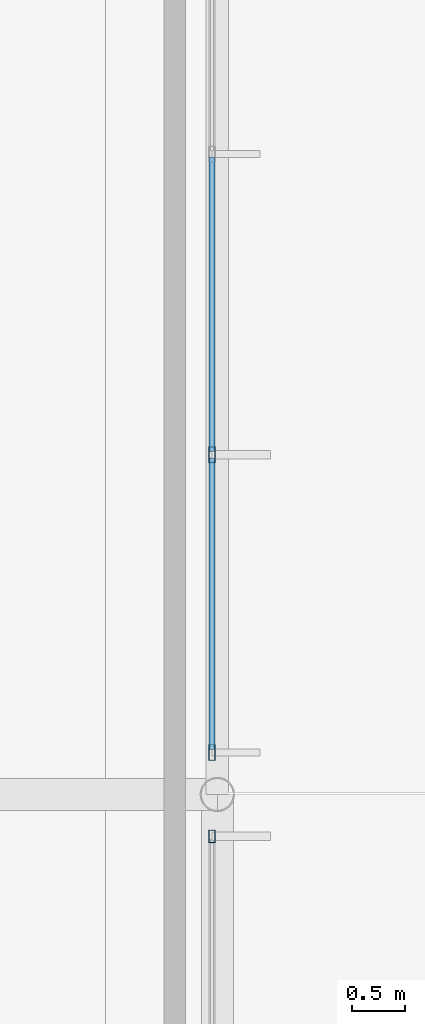
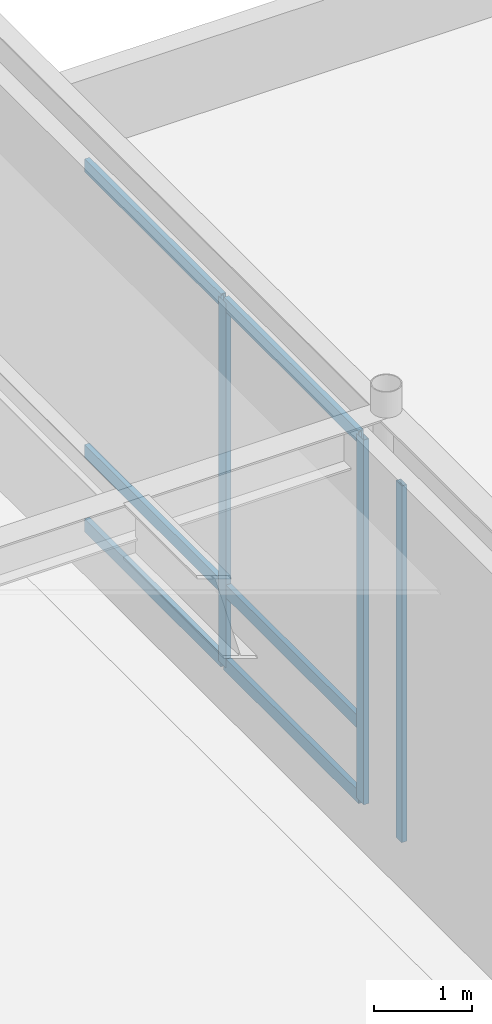
# One storey, part 88 of 143: 9 members, 2 elements without a shape of their own.
"""IFC4 building model written with IfcOpenShell, lengths in metres."""

from ifc_helpers import new_model, si_unit, direction, frame, origin, origin_2d, place, context, subcontext, project, spatial, hollow_rectangle, extrude, material, layer, layer_set, material_profile, profile_set, type_object, element, aggregate, save


model = new_model("IFC4")

# Units and contexts
model_context = context("Model", 3, precision=1e-05, world=origin(), true_north=direction((0.0, 1.0)))
body_context = subcontext(model_context, "Body", "Model", "MODEL_VIEW")
ifc_project = project(units=[si_unit("LENGTHUNIT", "METRE"), si_unit("AREAUNIT", "SQUARE_METRE"), si_unit("VOLUMEUNIT", "CUBIC_METRE"), si_unit("PLANEANGLEUNIT", "RADIAN"), si_unit("MASSUNIT", "GRAM", prefix="KILO")], contexts=[model_context])

# Site, building, storey
site_placement = place(None, origin())
site = spatial("IfcSite", under=ifc_project, at=site_placement, CompositionType="ELEMENT")
building_placement = place(site_placement, origin())
building = spatial("IfcBuilding", under=site, at=building_placement, Name="Montelvaro Courts of Justice", CompositionType="ELEMENT")
storey_placement = place(building_placement, origin())
storey = spatial("IfcBuildingStorey", under=building, at=storey_placement, Name="L00", CompositionType="ELEMENT", Elevation=0.0)

# Curtain wall, member
ifc_material = material(Name="Anodised aluminium EN AW-6063", Category="aluminium")
ifc_layer_1 = layer(ifc_material, 0.159912109375)
ifc_layer_set_1 = layer_set([ifc_layer_1], Name="Anodised aluminium EN AW-6063")
curtain_wall_type_1 = type_object("IfcCurtainWallType", Name="CurtainWall_02_1727x508", PredefinedType="USERDEFINED", material=ifc_layer_set_1)
curtain_wall_1_placement = place(storey_placement, origin())
curtain_wall_1 = element("IfcCurtainWall", 1, at=curtain_wall_1_placement, inside=storey, type_object=curtain_wall_type_1, Name="Curtain Wall CW-02 (L00)", ObjectType="CURTAIN WALL", PredefinedType="USERDEFINED")
ifc_material_profile_1 = material_profile(ifc_material, hollow_rectangle(XDim=0.06005859375, YDim=0.1201171875, WallThickness=0.00341796875, at=origin_2d()), Name="ALU-M 60x120")
ifc_profile_set_1 = profile_set([ifc_material_profile_1], Name="Anodised aluminium EN AW-6063")
member_type_1 = type_object("IfcMemberType", Name="CurtainWall_Mullion_60x120", PredefinedType="MULLION", material=ifc_profile_set_1)
member_1_placement = place(storey_placement, frame((80.949951171875, 95.60498046875, 0.0), z_axis=(0.0, 0.0, 1.0), x_axis=(-1.0, 0.0, 0.0)))
member_1 = element("IfcMember", 2, at=member_1_placement, type_object=member_type_1, Name="CW-02 mullion 8", PredefinedType="MULLION", context=body_context, shape_type="SweptSolid", body=[
    extrude(hollow_rectangle(XDim=0.06005859375, YDim=0.1201171875, WallThickness=0.00341796875, at=origin_2d()), origin(), (0.0, 0.0, 1.0), 4.425048828125),
])
aggregate(curtain_wall_1, [member_1])

# Curtain wall, members
ifc_layer_2 = layer(ifc_material, 0.159912109375)
ifc_layer_set_2 = layer_set([ifc_layer_2], Name="Anodised aluminium EN AW-6063")
curtain_wall_type_2 = type_object("IfcCurtainWallType", Name="CurtainWall_03_1132x508", PredefinedType="USERDEFINED", material=ifc_layer_set_2)
curtain_wall_2_placement = place(storey_placement, origin())
curtain_wall_2 = element("IfcCurtainWall", 3, at=curtain_wall_2_placement, inside=storey, type_object=curtain_wall_type_2, Name="Curtain Wall CW-03 (L00)", ObjectType="CURTAIN WALL", PredefinedType="USERDEFINED")
ifc_material_profile_2 = material_profile(ifc_material, hollow_rectangle(XDim=0.06005859375, YDim=0.14990234375, WallThickness=0.00390625, at=origin_2d()), Name="ALU-M 60x150")
ifc_profile_set_2 = profile_set([ifc_material_profile_2], Name="Anodised aluminium EN AW-6063")
member_type_2 = type_object("IfcMemberType", Name="CurtainWall_Mullion_60x150", PredefinedType="MULLION", material=ifc_profile_set_2)
member_2_placement = place(storey_placement, frame((80.949951171875, 96.39501953125, 0.0), z_axis=(0.0, 0.0, 1.0), x_axis=(-1.0, 0.0, 0.0)))
member_2 = element("IfcMember", 4, at=member_2_placement, type_object=member_type_2, Name="CW-03 mullion 1", PredefinedType="MULLION", context=body_context, shape_type="SweptSolid", body=[
    extrude(hollow_rectangle(XDim=0.06005859375, YDim=0.14990234375, WallThickness=0.00390625, at=origin_2d()), origin(), (0.0, 0.0, 1.0), 4.52490234375),
])
member_3_placement = place(storey_placement, frame((80.949951171875, 99.195068359375, 0.0), z_axis=(0.0, 0.0, 1.0), x_axis=(-1.0, 0.0, 0.0)))
member_3 = element("IfcMember", 5, at=member_3_placement, type_object=member_type_2, Name="CW-03 mullion 2", PredefinedType="MULLION", context=body_context, shape_type="SweptSolid", body=[
    extrude(hollow_rectangle(XDim=0.06005859375, YDim=0.14990234375, WallThickness=0.00390625, at=origin_2d()), origin(), (0.0, 0.0, 1.0), 4.52490234375),
])
ifc_material_profile_3 = material_profile(ifc_material, hollow_rectangle(XDim=0.06005859375, YDim=0.159912109375, WallThickness=0.00439453125, at=origin_2d()), Name="ALU-T 60x160")
ifc_profile_set_3 = profile_set([ifc_material_profile_3], Name="Anodised aluminium EN AW-6063")
member_type_3 = type_object("IfcMemberType", Name="CurtainWall_Transom_60x160", PredefinedType="USERDEFINED", material=ifc_profile_set_3)
member_4_placement = place(storey_placement, frame((80.949951171875, 96.425048828125, 0.030029296875), z_axis=(0.0, 1.0, 0.0), x_axis=(-1.0, 0.0, 0.0)))
member_4 = element("IfcMember", 6, at=member_4_placement, type_object=member_type_3, Name="CW-03 transom 1.1", ObjectType="TRANSOM", PredefinedType="USERDEFINED", context=body_context, shape_type="SweptSolid", body=[
    extrude(hollow_rectangle(XDim=0.06005859375, YDim=0.159912109375, WallThickness=0.00439453125, at=origin_2d()), origin(), (0.0, 0.0, 1.0), 2.739990234375),
])
member_5_placement = place(storey_placement, frame((80.949951171875, 96.425048828125, 0.949951171875), z_axis=(0.0, 1.0, 0.0), x_axis=(-1.0, 0.0, 0.0)))
member_5 = element("IfcMember", 7, at=member_5_placement, type_object=member_type_3, Name="CW-03 transom 1.2", ObjectType="TRANSOM", PredefinedType="USERDEFINED", context=body_context, shape_type="SweptSolid", body=[
    extrude(hollow_rectangle(XDim=0.06005859375, YDim=0.159912109375, WallThickness=0.00439453125, at=origin_2d()), origin(), (0.0, 0.0, 1.0), 2.739990234375),
])
member_6_placement = place(storey_placement, frame((80.949951171875, 96.425048828125, 4.4951171875), z_axis=(0.0, 1.0, 0.0), x_axis=(-1.0, 0.0, 0.0)))
member_6 = element("IfcMember", 8, at=member_6_placement, type_object=member_type_3, Name="CW-03 transom 1.3", ObjectType="TRANSOM", PredefinedType="USERDEFINED", context=body_context, shape_type="SweptSolid", body=[
    extrude(hollow_rectangle(XDim=0.06005859375, YDim=0.159912109375, WallThickness=0.00439453125, at=origin_2d()), origin(), (0.0, 0.0, 1.0), 2.739990234375),
])
member_7_placement = place(storey_placement, frame((80.949951171875, 99.22509765625, 0.030029296875), z_axis=(0.0, 1.0, 0.0), x_axis=(-1.0, 0.0, 0.0)))
member_7 = element("IfcMember", 9, at=member_7_placement, type_object=member_type_3, Name="CW-03 transom 2.1", ObjectType="TRANSOM", PredefinedType="USERDEFINED", context=body_context, shape_type="SweptSolid", body=[
    extrude(hollow_rectangle(XDim=0.06005859375, YDim=0.159912109375, WallThickness=0.00439453125, at=origin_2d()), origin(), (0.0, 0.0, 1.0), 2.77001953125),
])
member_8_placement = place(storey_placement, frame((80.949951171875, 99.22509765625, 0.949951171875), z_axis=(0.0, 1.0, 0.0), x_axis=(-1.0, 0.0, 0.0)))
member_8 = element("IfcMember", 10, at=member_8_placement, type_object=member_type_3, Name="CW-03 transom 2.2", ObjectType="TRANSOM", PredefinedType="USERDEFINED", context=body_context, shape_type="SweptSolid", body=[
    extrude(hollow_rectangle(XDim=0.06005859375, YDim=0.159912109375, WallThickness=0.00439453125, at=origin_2d()), origin(), (0.0, 0.0, 1.0), 2.77001953125),
])
member_9_placement = place(storey_placement, frame((80.949951171875, 99.22509765625, 4.4951171875), z_axis=(0.0, 1.0, 0.0), x_axis=(-1.0, 0.0, 0.0)))
member_9 = element("IfcMember", 11, at=member_9_placement, type_object=member_type_3, Name="CW-03 transom 2.3", ObjectType="TRANSOM", PredefinedType="USERDEFINED", context=body_context, shape_type="SweptSolid", body=[
    extrude(hollow_rectangle(XDim=0.06005859375, YDim=0.159912109375, WallThickness=0.00439453125, at=origin_2d()), origin(), (0.0, 0.0, 1.0), 2.77001953125),
])
aggregate(curtain_wall_2, [member_2, member_3, member_4, member_5, member_6, member_7, member_8, member_9])

save(model, "model.ifc")
